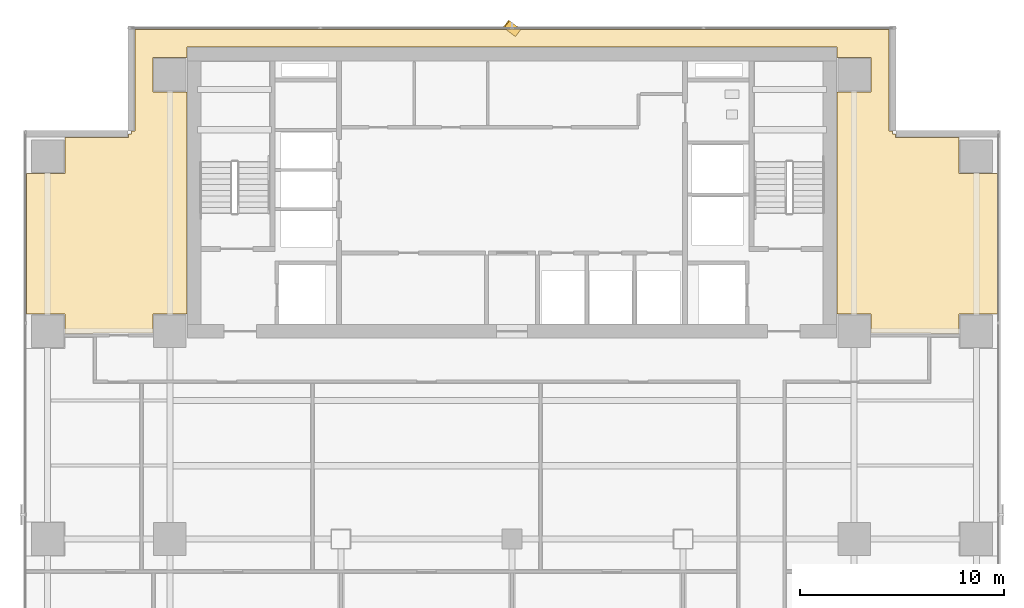
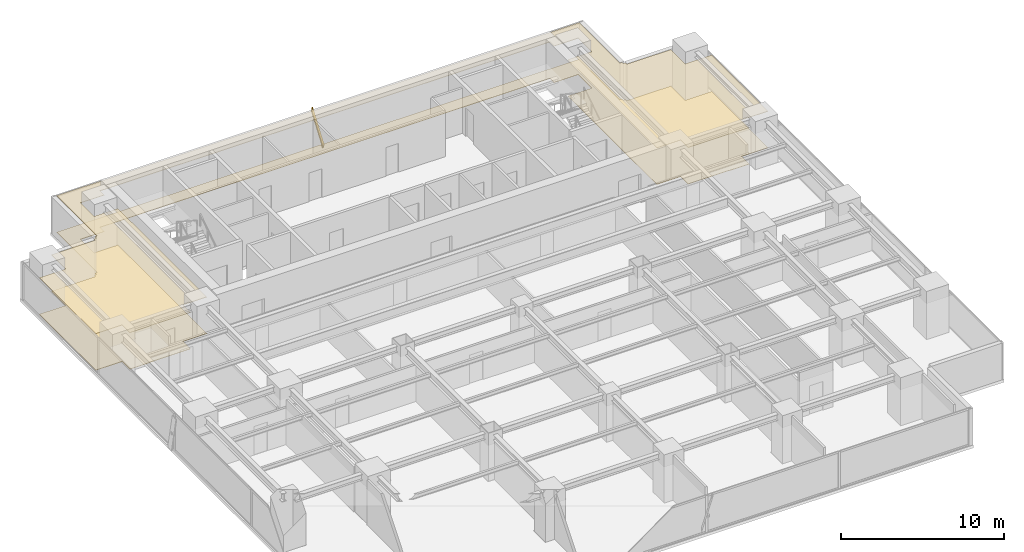
# One storey, part 26 of 28: 2 coverings, 1 shading device.
"""IFC4 building model written with IfcOpenShell, lengths in metres."""

from ifc_helpers import new_model, si_unit, direction, frame, origin, origin_2d, place, context, subcontext, project, spatial, polyline, rectangle, outline, extrude, source, transform, mapped, material, layer, layer_set, material_profile, profile_set, type_object, element, save


model = new_model("IFC4")

# Units and contexts
model_context = context("Model", 3, precision=1e-05, world=origin(), true_north=direction((0.0, 1.0)))
body_context = subcontext(model_context, "Body", "Model", "MODEL_VIEW")
ifc_project = project(units=[si_unit("LENGTHUNIT", "METRE"), si_unit("AREAUNIT", "SQUARE_METRE"), si_unit("VOLUMEUNIT", "CUBIC_METRE"), si_unit("PLANEANGLEUNIT", "RADIAN"), si_unit("MASSUNIT", "GRAM", prefix="KILO")], contexts=[model_context])

# Site, building, storey
site_placement = place(None, origin())
site = spatial("IfcSite", under=ifc_project, at=site_placement, CompositionType="ELEMENT")
building_placement = place(site_placement, origin())
building = spatial("IfcBuilding", under=site, at=building_placement, Name="Sumidabori Civic Tower", CompositionType="ELEMENT")
storey_placement = place(building_placement, frame((0.0, 0.0, 149.60009765625)))
storey = spatial("IfcBuildingStorey", under=building, at=storey_placement, Name="L38", CompositionType="ELEMENT", Elevation=149.60009765625)

# Coverings
ifc_material_1 = material(Name="Acoustic Mineral Gypsum Ceiling Tile")
ifc_layer_1 = layer(ifc_material_1, 0.034912109375, Name="Acoustic Mineral Gypsum Ceiling Tile")
ifc_layer_set_1 = layer_set([ifc_layer_1], Name="Acoustic Mineral Gypsum Ceiling Tile")
covering_type_1 = type_object("IfcCoveringType", Name="CV-CEIL-AC1", PredefinedType="CEILING", material=ifc_layer_set_1)
covering_1_placement = place(storey_placement, frame((0.0, 0.0, 2.72998046875)))
element("IfcCovering", 1, at=covering_1_placement, inside=storey, type_object=covering_type_1, Name="Room Acoustic Ceiling L38-01", PredefinedType="CEILING", context=body_context, shape_type="SweptSolid", body=[
    extrude(outline(polyline([(-20.570068359375, 10.094970703125), (-21.9599609375, 10.094970703125), (-21.9599609375, 11.0400390625), (-23.830078125, 11.0400390625), (-23.830078125, 17.9599609375), (-21.9599609375, 17.9599609375), (-21.9599609375, 19.721923828125), (-18.842041015625, 19.721923828125), (-18.842041015625, 19.8798828125), (-18.679931640625, 19.8798828125), (-18.679931640625, 20.0419921875), (-18.52197265625, 20.0419921875), (-18.52197265625, 25.030029296875), (18.52197265625, 25.030029296875), (18.52197265625, 20.0419921875), (18.679931640625, 20.0419921875), (18.679931640625, 19.8798828125), (18.842041015625, 19.8798828125), (18.842041015625, 19.721923828125), (21.9599609375, 19.721923828125), (21.9599609375, 17.9599609375), (23.830078125, 17.9599609375), (23.830078125, 11.0400390625), (21.9599609375, 11.0400390625), (21.9599609375, 10.094970703125), (20.570068359375, 10.094970703125), (20.570068359375, 10.1201171875), (17.639892578125, 10.1201171875), (17.639892578125, 11.0400390625), (15.952880859375, 11.0400390625), (15.952880859375, 21.9599609375), (17.639892578125, 21.9599609375), (17.639892578125, 23.639892578125), (15.952880859375, 23.639892578125), (15.952880859375, 24.153076171875), (-15.952880859375, 24.153076171875), (-15.952880859375, 23.639892578125), (-17.639892578125, 23.639892578125), (-17.639892578125, 21.9599609375), (-15.952880859375, 21.9599609375), (-15.952880859375, 11.0400390625), (-17.639892578125, 11.0400390625), (-17.639892578125, 10.1201171875), (-20.570068359375, 10.1201171875), (-20.570068359375, 10.094970703125)])), origin(), (0.0, 0.0, 1.0), 0.034912109375),
])
ifc_material_2 = material(Name="Honed Terrazzo Tile Flooring")
ifc_layer_2 = layer(ifc_material_2, 0.030029296875, Name="Honed Terrazzo Tile Flooring")
ifc_layer_set_2 = layer_set([ifc_layer_2], Name="Honed Terrazzo Tile Flooring")
covering_type_2 = type_object("IfcCoveringType", Name="CV-FLR-TER", PredefinedType="FLOORING", material=ifc_layer_set_2)
covering_2_placement = place(storey_placement, origin())
element("IfcCovering", 2, at=covering_2_placement, inside=storey, type_object=covering_type_2, Name="Room Terrazzo Floor L38-01", PredefinedType="FLOORING", context=body_context, shape_type="SweptSolid", body=[
    extrude(outline(polyline([(-20.570068359375, 10.094970703125), (-21.9599609375, 10.094970703125), (-21.9599609375, 11.0400390625), (-23.830078125, 11.0400390625), (-23.830078125, 17.9599609375), (-21.9599609375, 17.9599609375), (-21.9599609375, 19.721923828125), (-18.842041015625, 19.721923828125), (-18.842041015625, 19.8798828125), (-18.679931640625, 19.8798828125), (-18.679931640625, 20.0419921875), (-18.52197265625, 20.0419921875), (-18.52197265625, 25.030029296875), (18.52197265625, 25.030029296875), (18.52197265625, 20.0419921875), (18.679931640625, 20.0419921875), (18.679931640625, 19.8798828125), (18.842041015625, 19.8798828125), (18.842041015625, 19.721923828125), (21.9599609375, 19.721923828125), (21.9599609375, 17.9599609375), (23.830078125, 17.9599609375), (23.830078125, 11.0400390625), (21.9599609375, 11.0400390625), (21.9599609375, 10.094970703125), (20.570068359375, 10.094970703125), (20.570068359375, 10.1201171875), (17.639892578125, 10.1201171875), (17.639892578125, 11.0400390625), (15.952880859375, 11.0400390625), (15.952880859375, 21.9599609375), (17.639892578125, 21.9599609375), (17.639892578125, 23.639892578125), (15.952880859375, 23.639892578125), (15.952880859375, 24.153076171875), (-15.952880859375, 24.153076171875), (-15.952880859375, 23.639892578125), (-17.639892578125, 23.639892578125), (-17.639892578125, 21.9599609375), (-15.952880859375, 21.9599609375), (-15.952880859375, 11.0400390625), (-17.639892578125, 11.0400390625), (-17.639892578125, 10.1201171875), (-20.570068359375, 10.1201171875), (-20.570068359375, 10.094970703125)])), origin(), (0.0, 0.0, 1.0), 0.02978515625),
])

# Shading device
ifc_material_3 = material(Name="Anodised Bronze Aluminium AW-6063-T6", Category="aluminium")
ifc_material_profile = material_profile(ifc_material_3, rectangle(XDim=0.06005859375, YDim=0.449951171875, at=origin_2d()), Name="BRONZE FIN 450x60")
ifc_profile_set = profile_set([ifc_material_profile], Name="Anodised Bronze Aluminium AW-6063-T6")
shading_device_type = type_object("IfcShadingDeviceType", Name="SH-FIN-450", PredefinedType="USERDEFINED", material=ifc_profile_set)
shared_shape = source(origin(), body_context, "Body", "SweptSolid", [
    extrude(rectangle(XDim=0.06005859375, YDim=0.449951171875, at=origin_2d()), origin(), (0.0, 0.0, 1.0), 2.789306640625),
])
shading_device_placement = place(storey_placement, frame((0.280029296875, 24.8701171875, 0.02001953125), z_axis=(-0.200794136335, 0.150551837182, 0.967995794998), x_axis=(0.774477654896, -0.580689436103, 0.250966413819)))
element("IfcShadingDevice", 3, at=shading_device_placement, inside=storey, type_object=shading_device_type, Name="Bronze Anodised Diagonal Fin L38-02", ObjectType="FIN", PredefinedType="USERDEFINED", context=body_context, shape_type="MappedRepresentation", body=[
    mapped(shared_shape, transform((0.0, 0.0, 0.0), x_axis=(1.0, 0.0, 0.0), y_axis=(0.0, 1.0, 0.0), z_axis=(0.0, 0.0, 1.0), scale=1.0)),
])

save(model, "model.ifc")
